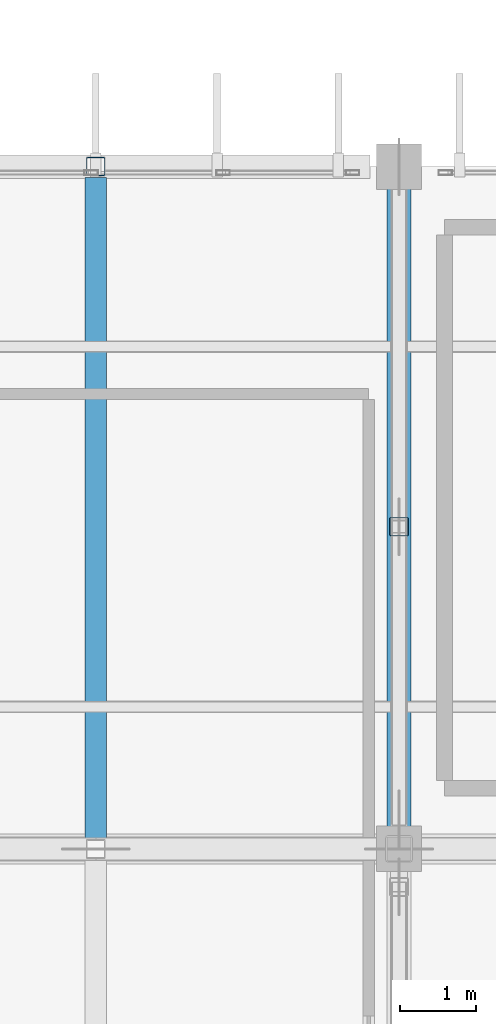
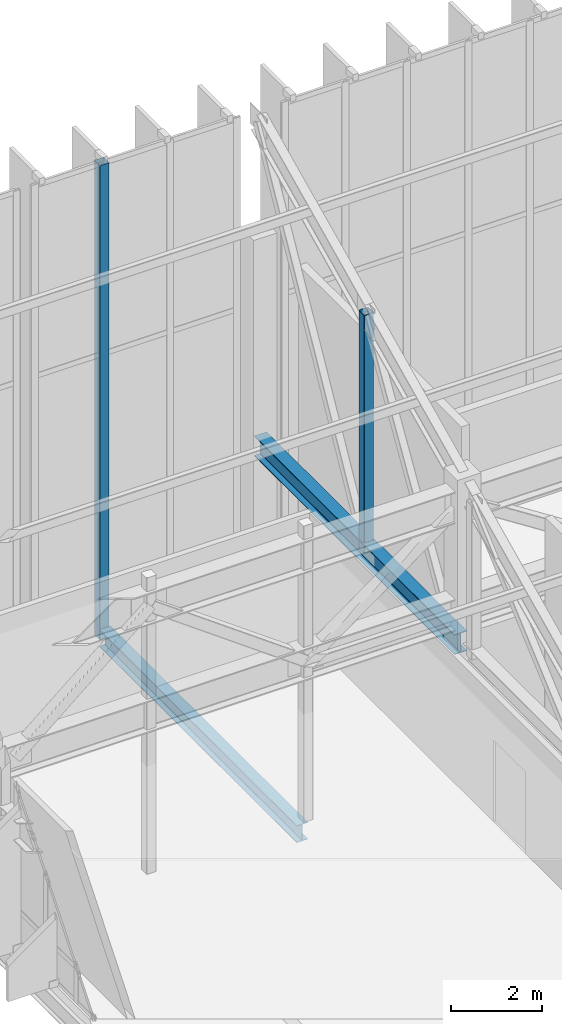
# One storey, part 32 of 68: 2 beams, 2 members.
"""IFC4 building model written with IfcOpenShell, lengths in metres."""

from ifc_helpers import new_model, si_unit, direction, frame, origin, origin_2d, place, context, subcontext, project, spatial, hollow_rectangle, i_section, extrude, material, material_profile, profile_set, type_object, element, save


model = new_model("IFC4")

# Units and contexts
model_context = context("Model", 3, precision=1e-05, world=origin(), true_north=direction((0.0, 1.0)))
body_context = subcontext(model_context, "Body", "Model", "MODEL_VIEW")
ifc_project = project(units=[si_unit("LENGTHUNIT", "METRE"), si_unit("AREAUNIT", "SQUARE_METRE"), si_unit("VOLUMEUNIT", "CUBIC_METRE"), si_unit("PLANEANGLEUNIT", "RADIAN"), si_unit("MASSUNIT", "GRAM", prefix="KILO")], contexts=[model_context])

# Site, building, storey
site_placement = place(None, origin())
site = spatial("IfcSite", under=ifc_project, at=site_placement, CompositionType="ELEMENT")
building_placement = place(site_placement, origin())
building = spatial("IfcBuilding", under=site, at=building_placement, Name="Miravela Opera House", CompositionType="ELEMENT")
storey_placement = place(building_placement, frame((0.0, 0.0, 21.760009765625)))
storey = spatial("IfcBuildingStorey", under=building, at=storey_placement, Name="L05", CompositionType="ELEMENT", Elevation=21.760009765625)

# Beams
ifc_material_1 = material(Name="Structural steel ASTM A992 Gr. 50", Category="steel")
ifc_material_profile_1 = material_profile(ifc_material_1, i_section(OverallWidth=0.280029296875, OverallDepth=0.462890625, WebThickness=0.0107421875, FlangeThickness=0.017333984375, FilletRadius=0.014892578125, at=origin_2d()), Name="W460X113")
ifc_profile_set_1 = profile_set([ifc_material_profile_1])
beam_type_1 = type_object("IfcBeamType", Name="STR-BM-W460X113", PredefinedType="BEAM", material=ifc_profile_set_1)
beam_1_placement = place(storey_placement, frame((23.0, 66.14111328125, -0.471435546875), z_axis=(0.0, 1.0, 0.0), x_axis=(-1.0, 0.0, 0.0)))
element("IfcBeam", 1, at=beam_1_placement, inside=storey, type_object=beam_type_1, Name="Cantilever Overhang Beam L05 X=23", PredefinedType="BEAM", context=body_context, shape_type="SweptSolid", body=[
    extrude(i_section(OverallWidth=0.280029296875, OverallDepth=0.462890625, WebThickness=0.0107421875, FlangeThickness=0.017333984375, FilletRadius=0.014892578125, at=origin_2d()), origin(), (0.0, 0.0, 1.0), 8.7177734375),
])
ifc_material_profile_2 = material_profile(ifc_material_1, i_section(OverallWidth=0.31201171875, OverallDepth=0.54296875, WebThickness=0.0126953125, FlangeThickness=0.020263671875, FilletRadius=0.01611328125, at=origin_2d()), Name="W530X150")
ifc_profile_set_2 = profile_set([ifc_material_profile_2])
beam_type_2 = type_object("IfcBeamType", Name="STR-BM-W530X150", PredefinedType="BEAM", material=ifc_profile_set_2)
beam_2_placement = place(storey_placement, frame((27.0, 66.080078125, 3.280029296875), z_axis=(0.0, 1.0, 0.0), x_axis=(-1.0, 0.0, 0.0)))
element("IfcBeam", 2, at=beam_2_placement, inside=storey, type_object=beam_type_2, Name="V-Crest Roof Truss Bottom Tie Chord X=27 Seg 4", PredefinedType="BEAM", context=body_context, shape_type="SweptSolid", body=[
    extrude(i_section(OverallWidth=0.31201171875, OverallDepth=0.54296875, WebThickness=0.0126953125, FlangeThickness=0.020263671875, FilletRadius=0.01611328125, at=origin_2d()), origin(), (0.0, 0.0, 1.0), 8.83984375),
])

# Members
ifc_material_2 = material(Name="Hollow structural steel ASTM A500 Gr. C", Category="steel")
ifc_material_profile_3 = material_profile(ifc_material_2, hollow_rectangle(XDim=0.25, YDim=0.25, WallThickness=0.011962890625, InnerFilletRadius=0.011962890625, OuterFilletRadius=0.02392578125, at=origin_2d()), Name="HSS250X250X12")
ifc_profile_set_3 = profile_set([ifc_material_profile_3])
member_type = type_object("IfcMemberType", Name="STR-MEM-CANT-POST2", PredefinedType="POST", material=ifc_profile_set_3)
member_1_placement = place(storey_placement, frame((23.0, 75.0, -0.5400390625), z_axis=(0.0, 0.0, 1.0), x_axis=(1.0, 0.0, 0.0)))
element("IfcMember", 3, at=member_1_placement, inside=storey, type_object=member_type, Name="Upper Wrapper Truss Post L05 X=23.0", PredefinedType="POST", context=body_context, shape_type="SweptSolid", body=[
    extrude(hollow_rectangle(XDim=0.25, YDim=0.25, WallThickness=0.011962890625, InnerFilletRadius=0.011962890625, OuterFilletRadius=0.02392578125, at=origin_2d()), origin(), (0.0, 0.0, 1.0), 12.7900390625),
])
member_2_placement = place(storey_placement, frame((27.0, 70.25, 3.280029296875), z_axis=(0.0, 0.0, 1.0), x_axis=(1.0, 0.0, 0.0)))
element("IfcMember", 4, at=member_2_placement, inside=storey, type_object=member_type, Name="V-Crest Roof Truss Panel Post X=27 Node 7", PredefinedType="POST", context=body_context, shape_type="SweptSolid", body=[
    extrude(hollow_rectangle(XDim=0.25, YDim=0.25, WallThickness=0.011962890625, InnerFilletRadius=0.011962890625, OuterFilletRadius=0.02392578125, at=origin_2d()), origin(), (0.0, 0.0, 1.0), 6.409912109375),
])

save(model, "model.ifc")
